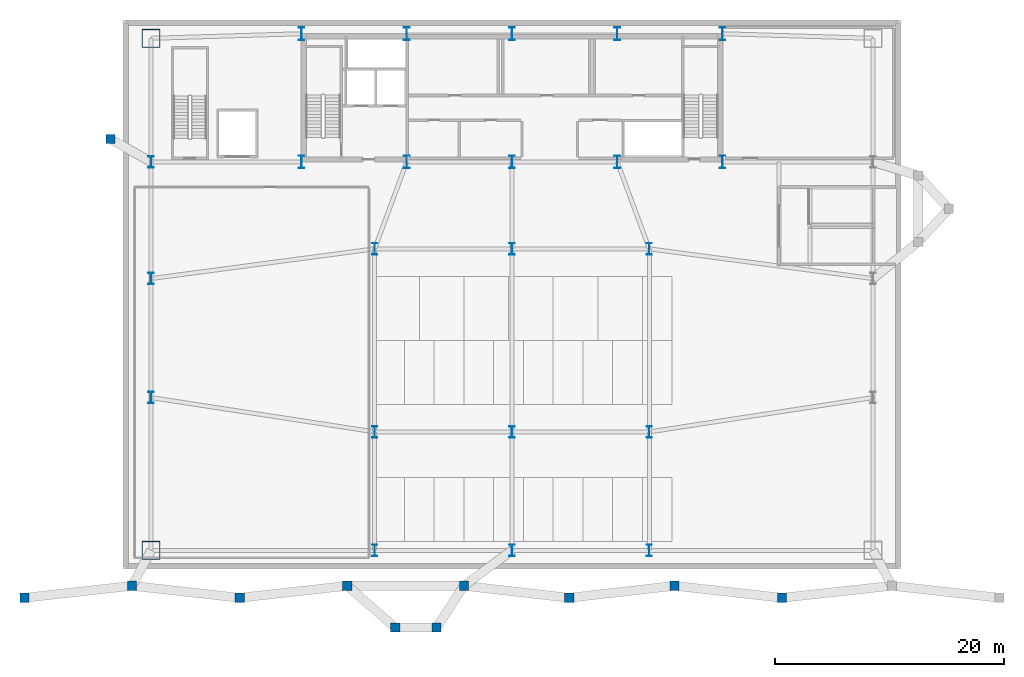
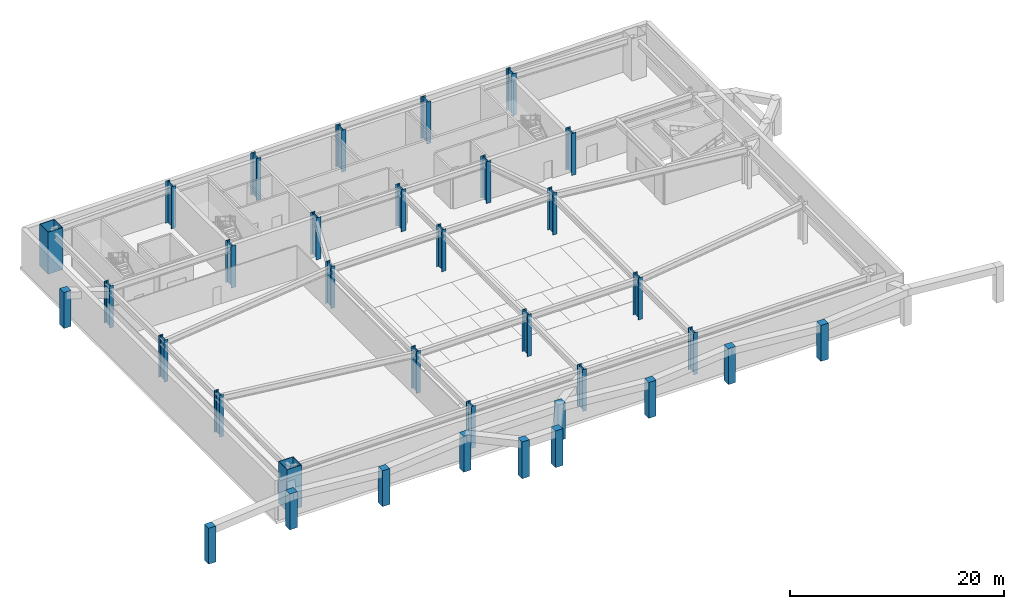
# One storey, part 1 of 9: 35 columns.
"""IFC4 building model written with IfcOpenShell, lengths in metres."""

import ifcopenshell
import ifcopenshell.guid

model = None  # the IFC model being written
_history = None  # IfcOwnerHistory: only IFC2X3 demands one
_inside = {}  # id of a spatial element -> (the spatial element, [elements in it])
_under = {}  # id of a project, library or spatial element -> (it, [spatial elements below it])
_declared = {}  # id of a project -> (the project, [libraries it declares])
_typed = {}  # id of a type object -> (the type object, [elements of that type])
_made_of = {}  # id of a material, layer set ... -> (it, [elements and type objects made of it])


def new_model(schema):
    """Start an empty IFC model of exactly this schema.

    Asked for "IFC4X3", IfcOpenShell would pick the latest addendum, in which some entities
    have other attributes; the version numbers below select the first issue.
    IFC2X3 requires an IfcOwnerHistory on every rooted entity: one is made here for all.
    """
    global model, _history
    if schema == "IFC4X3":
        model = ifcopenshell.file(schema_version=(4, 3, 0, 0))
    else:
        model = ifcopenshell.file(schema=schema)
    _inside.clear()
    _under.clear()
    _declared.clear()
    _typed.clear()
    _made_of.clear()
    _history = None
    if model.schema == "IFC2X3":
        org = make("IfcOrganization", Name="unknown")
        user = make(
            "IfcPersonAndOrganization",
            ThePerson=make("IfcPerson", FamilyName="unknown"),
            TheOrganization=org,
        )
        app = make(
            "IfcApplication",
            ApplicationDeveloper=org,
            Version="unknown",
            ApplicationFullName="unknown",
            ApplicationIdentifier="unknown",
        )
        _history = make(
            "IfcOwnerHistory",
            OwningUser=user,
            OwningApplication=app,
            ChangeAction="ADDED",
            CreationDate=0,
        )
    return model


def make(cls, **values):
    """One entity of the class cls with the attributes given. An attribute that is None is left unset."""
    return model.create_entity(
        cls, **{name: value for name, value in values.items() if value is not None}
    )


def rooted(cls, **values):
    """An entity with a GlobalId (a new one), such as an element, a storey or a relation."""
    return make(cls, GlobalId=ifcopenshell.guid.new(), OwnerHistory=_history, **values)


def si_unit(unit_type, name, prefix=None):
    """IfcSIUnit, for example si_unit("LENGTHUNIT", "METRE", prefix="MILLI")."""
    return make("IfcSIUnit", UnitType=unit_type, Prefix=prefix, Name=name)


def assignment(units):
    """IfcUnitAssignment: the units of a project."""
    return None if units is None else make("IfcUnitAssignment", Units=units)


def point(xyz):
    """IfcCartesianPoint."""
    return None if xyz is None else make("IfcCartesianPoint", Coordinates=xyz)


def direction(xyz):
    """IfcDirection."""
    return None if xyz is None else make("IfcDirection", DirectionRatios=xyz)


def frame(location, z_axis=None, x_axis=None):
    """IfcAxis2Placement3D, a coordinate frame: its origin and axes. An axis left out is left unset."""
    return make(
        "IfcAxis2Placement3D",
        Location=point(location),
        Axis=direction(z_axis),
        RefDirection=direction(x_axis),
    )


def frame_2d(location, x_axis=None):
    """IfcAxis2Placement2D, a coordinate frame in the plane: its origin and x axis."""
    return make(
        "IfcAxis2Placement2D", Location=point(location), RefDirection=direction(x_axis)
    )


def origin():
    """The frame at (0, 0, 0) with its axes left unset."""
    return frame((0.0, 0.0, 0.0))


def origin_2d():
    """The frame at (0, 0) in the plane with its x axis left unset."""
    return frame_2d((0.0, 0.0))


def place(relative_to, where):
    """IfcLocalPlacement: puts the frame where relative to a parent placement (None: the world)."""
    return make(
        "IfcLocalPlacement", PlacementRelTo=relative_to, RelativePlacement=where
    )


def context(
    kind, dimensions, precision=None, world=None, true_north=None, identifier=None
):
    """IfcGeometricRepresentationContext, for example the 3D "Model" context."""
    return make(
        "IfcGeometricRepresentationContext",
        ContextIdentifier=identifier,
        ContextType=kind,
        CoordinateSpaceDimension=dimensions,
        Precision=precision,
        WorldCoordinateSystem=world,
        TrueNorth=true_north,
    )


def subcontext(parent, identifier, kind, view, scale=None):
    """IfcGeometricRepresentationSubContext, for example "Body" below "Model"."""
    return make(
        "IfcGeometricRepresentationSubContext",
        ContextIdentifier=identifier,
        ContextType=kind,
        ParentContext=parent,
        TargetScale=scale,
        TargetView=view,
    )


def project(units=None, contexts=None):
    """IfcProject with its units and contexts."""
    return rooted(
        "IfcProject",
        Name="project",
        RepresentationContexts=contexts,
        UnitsInContext=assignment(units),
    )


def spatial(cls, under=None, at=None, **own):
    """A site, building, storey or space (cls), placed at a placement, below another one or the project."""
    s = rooted(cls, ObjectPlacement=at, **own)
    if under is not None:
        _under.setdefault(under.id(), (under, []))[1].append(s)
    return s


def profile(cls, at=None, kind="AREA", **sizes):
    """A parametric profile (cls). Its sizes go by their IFC names, for example OverallWidth=200.0."""
    return make(cls, ProfileType=kind, Position=at, **sizes)


def rectangle(**sizes):
    """IfcRectangleProfileDef."""
    return profile("IfcRectangleProfileDef", **sizes)


def hollow_rectangle(**sizes):
    """IfcRectangleHollowProfileDef."""
    return profile("IfcRectangleHollowProfileDef", **sizes)


def i_section(**sizes):
    """IfcIShapeProfileDef."""
    return profile("IfcIShapeProfileDef", **sizes)


def extrude(swept, where, along, depth):
    """IfcExtrudedAreaSolid: the profile swept, set in the frame where, extruded along a direction by depth."""
    return make(
        "IfcExtrudedAreaSolid",
        SweptArea=swept,
        Position=where,
        ExtrudedDirection=direction(along),
        Depth=depth,
    )


def shape(context_of_items, identifier, shape_type, items):
    """IfcShapeRepresentation: the items that make up one representation, for example the "Body"."""
    return make(
        "IfcShapeRepresentation",
        ContextOfItems=context_of_items,
        RepresentationIdentifier=identifier,
        RepresentationType=shape_type,
        Items=items,
    )


def source(mapping_origin, context_of_items, identifier, shape_type, items):
    """IfcRepresentationMap: a shape defined once, which mapped items show again and again."""
    return make(
        "IfcRepresentationMap",
        MappingOrigin=mapping_origin,
        MappedRepresentation=shape(context_of_items, identifier, shape_type, items),
    )


def transform(
    local_origin,
    x_axis=None,
    y_axis=None,
    z_axis=None,
    scale=None,
    scale2=None,
    scale3=None,
    uniform=True,
):
    """IfcCartesianTransformationOperator3D, or its non-uniform kind. x_axis, y_axis, z_axis: its Axis1, 2, 3."""
    if uniform:
        return make(
            "IfcCartesianTransformationOperator3D",
            Axis1=direction(x_axis),
            Axis2=direction(y_axis),
            LocalOrigin=point(local_origin),
            Scale=scale,
            Axis3=direction(z_axis),
        )
    return make(
        "IfcCartesianTransformationOperator3DnonUniform",
        Axis1=direction(x_axis),
        Axis2=direction(y_axis),
        LocalOrigin=point(local_origin),
        Scale=scale,
        Axis3=direction(z_axis),
        Scale2=scale2,
        Scale3=scale3,
    )


def mapped(mapping_source, mapping_target):
    """IfcMappedItem: shows the shape of a source again, moved by a transform."""
    return make(
        "IfcMappedItem", MappingSource=mapping_source, MappingTarget=mapping_target
    )


def material(Name=None, Category=None):
    """IfcMaterial."""
    return make("IfcMaterial", Name=Name, Category=Category)


def material_profile(
    of_material, cross_section, Name=None, Category=None, Priority=None
):
    """IfcMaterialProfile: a cross section and its material."""
    return make(
        "IfcMaterialProfile",
        Name=Name,
        Material=of_material,
        Profile=cross_section,
        Priority=Priority,
        Category=Category,
    )


def profile_set(profiles, Name=None, composite=None):
    """IfcMaterialProfileSet."""
    return make(
        "IfcMaterialProfileSet",
        Name=Name,
        MaterialProfiles=profiles,
        CompositeProfile=composite,
    )


def made_of(thing, what):
    """Note that an element or type object is made of a material, layer set ...; save() writes the relation."""
    if what is not None:
        _made_of.setdefault(what.id(), (what, []))[1].append(thing)
    return thing


def type_object(cls, material=None, **own):
    """A type object (cls), such as IfcWallType, which elements share."""
    return made_of(rooted(cls, **own), material)


def type_shapes(of_type, sources):
    """Give a type object the sources (RepresentationMaps) that its elements show as mapped items."""
    of_type.RepresentationMaps = sources


def element(
    cls,
    number,
    at=None,
    inside=None,
    cuts=None,
    type_object=None,
    material=None,
    context=None,
    identifier="Body",
    shape_type=None,
    held_by="IfcProductDefinitionShape",
    body=None,
    shapes=None,
    **own,
):
    """One element of the class cls, such as IfcWall. Its Tag is "e" and its number.

    at: its placement. inside: the storey or other place that contains it. cuts: it is an
    opening in that element (IfcRelVoidsElement). A single representation is given by context,
    identifier, shape_type and body (its items); several are given by shapes. held_by: the class
    of the entity that holds the representations. save() writes the other relations.
    """
    e = rooted(cls, Tag="e%d" % number, ObjectPlacement=at, **own)
    if body is not None:
        shapes = [shape(context, identifier, shape_type, body)]
    if shapes is not None:
        e.Representation = make(held_by, Representations=shapes)
    if inside is not None:
        _inside.setdefault(inside.id(), (inside, []))[1].append(e)
    if cuts is not None:
        rooted(
            "IfcRelVoidsElement", RelatingBuildingElement=cuts, RelatedOpeningElement=e
        )
    if type_object is not None:
        _typed.setdefault(type_object.id(), (type_object, []))[1].append(e)
    return made_of(e, material)


def aggregate(whole, parts):
    """IfcRelAggregates: a whole, such as a stair, and the parts it consists of."""
    return rooted("IfcRelAggregates", RelatingObject=whole, RelatedObjects=parts)


def save(model, path):
    """Write the relations noted so far, then the file.

    IfcRelAggregates (storeys below a building ...), IfcRelContainedInSpatialStructure (elements
    in a storey), IfcRelDefinesByType, IfcRelAssociatesMaterial and IfcRelDeclares: one each for
    every whole, place, type object, material and project.
    """
    for whole, parts in _under.values():
        aggregate(whole, parts)
    for where, things in _inside.values():
        rooted(
            "IfcRelContainedInSpatialStructure",
            RelatedElements=things,
            RelatingStructure=where,
        )
    for kind, things in _typed.values():
        rooted("IfcRelDefinesByType", RelatedObjects=things, RelatingType=kind)
    for what, things in _made_of.values():
        rooted("IfcRelAssociatesMaterial", RelatedObjects=things, RelatingMaterial=what)
    for by, libraries in _declared.values():
        rooted("IfcRelDeclares", RelatingContext=by, RelatedDefinitions=libraries)
    model.write(path)


model = new_model("IFC4")

# Units and contexts
model_context = context("Model", 3, precision=1e-05, world=origin(), true_north=direction((0.0, 1.0)))
body_context = subcontext(model_context, "Body", "Model", "MODEL_VIEW")
ifc_project = project(units=[si_unit("LENGTHUNIT", "METRE"), si_unit("AREAUNIT", "SQUARE_METRE"), si_unit("VOLUMEUNIT", "CUBIC_METRE"), si_unit("PLANEANGLEUNIT", "RADIAN"), si_unit("MASSUNIT", "GRAM", prefix="KILO")], contexts=[model_context])

# Site, building, storey
site_placement = place(None, origin())
site = spatial("IfcSite", under=ifc_project, at=site_placement, CompositionType="ELEMENT")
building_placement = place(site_placement, origin())
building = spatial("IfcBuilding", under=site, at=building_placement, Name="Varnel Quay Broadcast Tower", CompositionType="ELEMENT")
storey_placement = place(building_placement, frame((0.0, 0.0, -4.800048828125)))
storey = spatial("IfcBuildingStorey", under=building, at=storey_placement, Name="B1", CompositionType="ELEMENT", Elevation=-4.800048828125)

# Columns
ifc_material_1 = material(Name="Concrete CSA A23.3 C50/60", Category="concrete")
ifc_material_profile_1 = material_profile(ifc_material_1, rectangle(XDim=0.800048828125, YDim=0.800048828125, at=origin_2d()), Name="RC800X800")
ifc_profile_set_1 = profile_set([ifc_material_profile_1], Name="Concrete CSA A23.3 C50/60")
column_type_1 = type_object("IfcColumnType", Name="Col_RC800X800", PredefinedType="COLUMN", material=ifc_profile_set_1)
shared_shape_1 = source(origin(), body_context, "Body", "SweptSolid", [
    extrude(rectangle(XDim=0.800048828125, YDim=0.800048828125, at=origin_2d()), origin(), (0.0, 0.0, 1.0), 4.10009765625),
])
for number, where, z_axis, x_axis, name in (
    (1, (-8.60009765625, -2.5, 0.0), (0.0, 0.0, 1.0), (1.0, 0.0, 0.0), "B1 Exterior Pier Column PRM01"),
    (2, (0.800048828125, -1.449951171875, 0.0), (0.0, 0.0, 1.0), (1.0, 0.0, 0.0), "B1 Exterior Pier Column PRM02"),
    (3, (10.199951171875, -2.5, 0.0), (0.0, 0.0, 1.0), (1.0, 0.0, 0.0), "B1 Exterior Pier Column PRM03"),
    (4, (19.60009765625, -1.449951171875, 0.0), (0.0, 0.0, 1.0), (1.0, 0.0, 0.0), "B1 Exterior Pier Column PRM04"),
    (5, (29.800048828125, -1.449951171875, 0.0), (0.0, 0.0, 1.0), (1.0, 0.0, 0.0), "B1 Exterior Pier Column PRM05"),
    (6, (39.0, -2.5, 0.0), (0.0, 0.0, 1.0), (1.0, 0.0, 0.0), "B1 Exterior Pier Column PRM06"),
    (7, (48.199951171875, -1.449951171875, 0.0), (0.0, 0.0, 1.0), (1.0, 0.0, 0.0), "B1 Exterior Pier Column PRM07"),
    (8, (57.60009765625, -2.5, 0.0), (0.0, 0.0, 1.0), (1.0, 0.0, 0.0), "B1 Exterior Pier Column PRM08"),
    (9, (-1.10009765625, 37.60009765625, 0.0), (0.0, 0.0, 1.0), (1.0, 0.0, 0.0), "B1 Exterior Pier Column WEXT1"),
):
    element("IfcColumn", number, at=place(storey_placement, frame(where, z_axis=z_axis, x_axis=x_axis)), inside=storey, type_object=column_type_1, Name=name, PredefinedType="COLUMN", context=body_context, shape_type="MappedRepresentation", body=[
        mapped(shared_shape_1, transform((0.0, 0.0, 0.0), x_axis=(1.0, 0.0, 0.0), y_axis=(0.0, 1.0, 0.0), z_axis=(0.0, 0.0, 1.0), scale=1.0)),
    ])
shared_shape_2 = source(origin(), body_context, "Body", "SweptSolid", [
    extrude(rectangle(XDim=0.800048828125, YDim=0.800048828125, at=origin_2d()), origin(), (0.0, 0.0, 1.0), 4.199951171875),
])
type_shapes(column_type_1, [shared_shape_1, shared_shape_2])
for number, where, z_axis, x_axis, name in (
    (10, (23.800048828125, -5.10009765625, 0.0), (0.0, 0.0, 1.0), (1.0, 0.0, 0.0), "B1 Exterior Pier Column QRMP1"),
    (11, (27.39990234375, -5.10009765625, 0.0), (0.0, 0.0, 1.0), (1.0, 0.0, 0.0), "B1 Exterior Pier Column QRMP2"),
):
    element("IfcColumn", number, at=place(storey_placement, frame(where, z_axis=z_axis, x_axis=x_axis)), inside=storey, type_object=column_type_1, Name=name, PredefinedType="COLUMN", context=body_context, shape_type="MappedRepresentation", body=[
        mapped(shared_shape_2, transform((0.0, 0.0, 0.0), x_axis=(1.0, 0.0, 0.0), y_axis=(0.0, 1.0, 0.0), z_axis=(0.0, 0.0, 1.0), scale=1.0)),
    ])
ifc_material_2 = material(Name="Structural Steel CSA G40.21 350WT", Category="steel")
ifc_material_profile_2 = material_profile(ifc_material_2, i_section(OverallWidth=0.5, OverallDepth=1.10009765625, WebThickness=0.01806640625, FlangeThickness=0.031982421875, FilletRadius=0.01806640625, at=origin_2d()), Name="WWF1100X418")
ifc_profile_set_2 = profile_set([ifc_material_profile_2], Name="Structural Steel CSA G40.21 350WT")
column_type_2 = type_object("IfcColumnType", Name="Col_WWF1100X418", PredefinedType="COLUMN", material=ifc_profile_set_2)
shared_shape_3 = source(origin(), body_context, "Body", "SweptSolid", [
    extrude(i_section(OverallWidth=0.5, OverallDepth=1.10009765625, WebThickness=0.01806640625, FlangeThickness=0.031982421875, FilletRadius=0.01806640625, at=origin_2d()), origin(), (0.0, 0.0, 1.0), 4.800048828125),
])
type_shapes(column_type_2, [shared_shape_3])
for number, where, z_axis, x_axis, name in (
    (12, (15.60009765625, 35.60009765625, 0.0), (0.0, 0.0, 1.0), (1.0, 0.0, 0.0), "B1 Column CC-S1"),
    (13, (15.60009765625, 46.800048828125, 0.0), (0.0, 0.0, 1.0), (1.0, 0.0, 0.0), "B1 Column CC-N1"),
    (14, (24.800048828125, 35.60009765625, 0.0), (0.0, 0.0, 1.0), (1.0, 0.0, 0.0), "B1 Column CC-S2"),
    (15, (24.800048828125, 46.800048828125, 0.0), (0.0, 0.0, 1.0), (1.0, 0.0, 0.0), "B1 Column CC-N2"),
    (16, (34.0, 35.60009765625, 0.0), (0.0, 0.0, 1.0), (1.0, 0.0, 0.0), "B1 Column CC-S3"),
    (17, (34.0, 46.800048828125, 0.0), (0.0, 0.0, 1.0), (1.0, 0.0, 0.0), "B1 Column CC-N3"),
    (18, (43.199951171875, 35.60009765625, 0.0), (0.0, 0.0, 1.0), (1.0, 0.0, 0.0), "B1 Column CC-S4"),
    (19, (43.199951171875, 46.800048828125, 0.0), (0.0, 0.0, 1.0), (1.0, 0.0, 0.0), "B1 Column CC-N4"),
    (20, (52.39990234375, 35.60009765625, 0.0), (0.0, 0.0, 1.0), (1.0, 0.0, 0.0), "B1 Column CC-S5"),
    (21, (52.39990234375, 46.800048828125, 0.0), (0.0, 0.0, 1.0), (1.0, 0.0, 0.0), "B1 Column CC-N5"),
):
    element("IfcColumn", number, at=place(storey_placement, frame(where, z_axis=z_axis, x_axis=x_axis)), inside=storey, type_object=column_type_2, Name=name, PredefinedType="COLUMN", context=body_context, shape_type="MappedRepresentation", body=[
        mapped(shared_shape_3, transform((0.0, 0.0, 0.0), x_axis=(1.0, 0.0, 0.0), y_axis=(0.0, 1.0, 0.0), z_axis=(0.0, 0.0, 1.0), scale=1.0)),
    ])
ifc_material_profile_3 = material_profile(ifc_material_2, hollow_rectangle(XDim=1.60009765625, YDim=1.60009765625, WallThickness=0.06005859375, at=origin_2d()), Name="BOX1600X1600X60")
ifc_profile_set_3 = profile_set([ifc_material_profile_3], Name="Structural Steel CSA G40.21 350WT")
column_type_3 = type_object("IfcColumnType", Name="Col_BOX1600X1600X60", PredefinedType="COLUMN", material=ifc_profile_set_3)
shared_shape_4 = source(origin(), body_context, "Body", "SweptSolid", [
    extrude(hollow_rectangle(XDim=1.60009765625, YDim=1.60009765625, WallThickness=0.06005859375, at=origin_2d()), origin(), (0.0, 0.0, 1.0), 4.800048828125),
])
type_shapes(column_type_3, [shared_shape_4])
for number, where, z_axis, x_axis, name in (
    (22, (2.449951171875, 1.64990234375, 0.0), (0.0, 0.0, 1.0), (1.0, 0.0, 0.0), "B1 Column MC-SW"),
    (23, (2.449951171875, 46.39990234375, 0.0), (0.0, 0.0, 1.0), (1.0, 0.0, 0.0), "B1 Column MC-NW"),
):
    element("IfcColumn", number, at=place(storey_placement, frame(where, z_axis=z_axis, x_axis=x_axis)), inside=storey, type_object=column_type_3, Name=name, PredefinedType="COLUMN", context=body_context, shape_type="MappedRepresentation", body=[
        mapped(shared_shape_4, transform((0.0, 0.0, 0.0), x_axis=(1.0, 0.0, 0.0), y_axis=(0.0, 1.0, 0.0), z_axis=(0.0, 0.0, 1.0), scale=1.0)),
    ])
ifc_material_profile_4 = material_profile(ifc_material_2, i_section(OverallWidth=0.449951171875, OverallDepth=1.0, WebThickness=0.01611328125, FlangeThickness=0.030029296875, FilletRadius=0.01611328125, at=origin_2d()), Name="WWF1000X362")
ifc_profile_set_4 = profile_set([ifc_material_profile_4], Name="Structural Steel CSA G40.21 350WT")
column_type_4 = type_object("IfcColumnType", Name="Col_WWF1000X362", PredefinedType="COLUMN", material=ifc_profile_set_4)
shared_shape_5 = source(origin(), body_context, "Body", "SweptSolid", [
    extrude(i_section(OverallWidth=0.449951171875, OverallDepth=1.0, WebThickness=0.01611328125, FlangeThickness=0.030029296875, FilletRadius=0.01611328125, at=origin_2d()), origin(), (0.0, 0.0, 1.0), 4.800048828125),
])
type_shapes(column_type_4, [shared_shape_5])
for number, where, z_axis, x_axis, name in (
    (24, (22.0, 1.64990234375, 0.0), (0.0, 0.0, 1.0), (1.0, 0.0, 0.0), "B1 Column PC-01"),
    (25, (34.0, 1.64990234375, 0.0), (0.0, 0.0, 1.0), (1.0, 0.0, 0.0), "B1 Column PC-02"),
    (26, (46.0, 1.64990234375, 0.0), (0.0, 0.0, 1.0), (1.0, 0.0, 0.0), "B1 Column PC-03"),
    (27, (22.0, 12.0, 0.0), (0.0, 0.0, 1.0), (1.0, 0.0, 0.0), "B1 Column PC-04"),
    (28, (34.0, 12.0, 0.0), (0.0, 0.0, 1.0), (1.0, 0.0, 0.0), "B1 Column PC-04B"),
    (29, (46.0, 12.0, 0.0), (0.0, 0.0, 1.0), (1.0, 0.0, 0.0), "B1 Column PC-05"),
    (30, (22.0, 28.0, 0.0), (0.0, 0.0, 1.0), (1.0, 0.0, 0.0), "B1 Column PC-06"),
    (31, (34.0, 28.0, 0.0), (0.0, 0.0, 1.0), (1.0, 0.0, 0.0), "B1 Column PC-07"),
    (32, (46.0, 28.0, 0.0), (0.0, 0.0, 1.0), (1.0, 0.0, 0.0), "B1 Column PC-08"),
    (33, (2.449951171875, 15.0, 0.0), (0.0, 0.0, 1.0), (1.0, 0.0, 0.0), "B1 Column PC-09"),
    (34, (2.449951171875, 25.39990234375, 0.0), (0.0, 0.0, 1.0), (1.0, 0.0, 0.0), "B1 Column PC-10"),
    (35, (2.449951171875, 35.60009765625, 0.0), (0.0, 0.0, 1.0), (1.0, 0.0, 0.0), "B1 Column PC-11"),
):
    element("IfcColumn", number, at=place(storey_placement, frame(where, z_axis=z_axis, x_axis=x_axis)), inside=storey, type_object=column_type_4, Name=name, PredefinedType="COLUMN", context=body_context, shape_type="MappedRepresentation", body=[
        mapped(shared_shape_5, transform((0.0, 0.0, 0.0), x_axis=(1.0, 0.0, 0.0), y_axis=(0.0, 1.0, 0.0), z_axis=(0.0, 0.0, 1.0), scale=1.0)),
    ])

save(model, "model.ifc")
